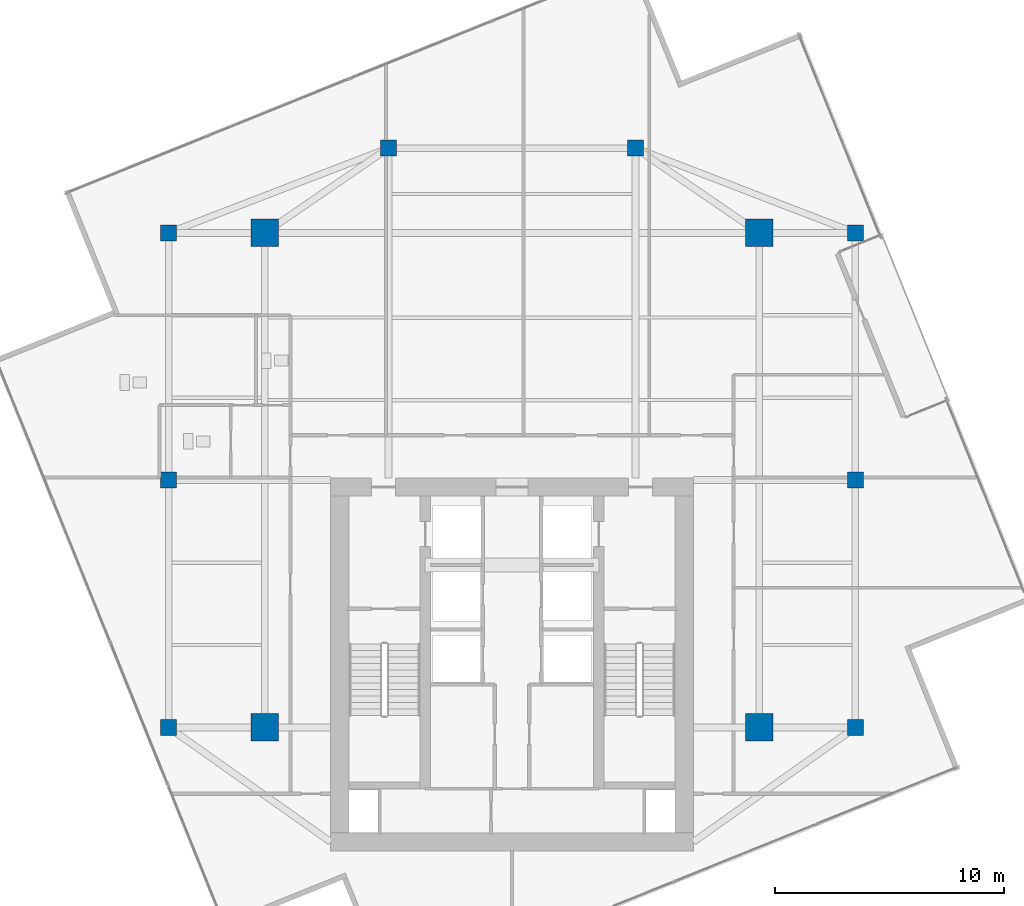
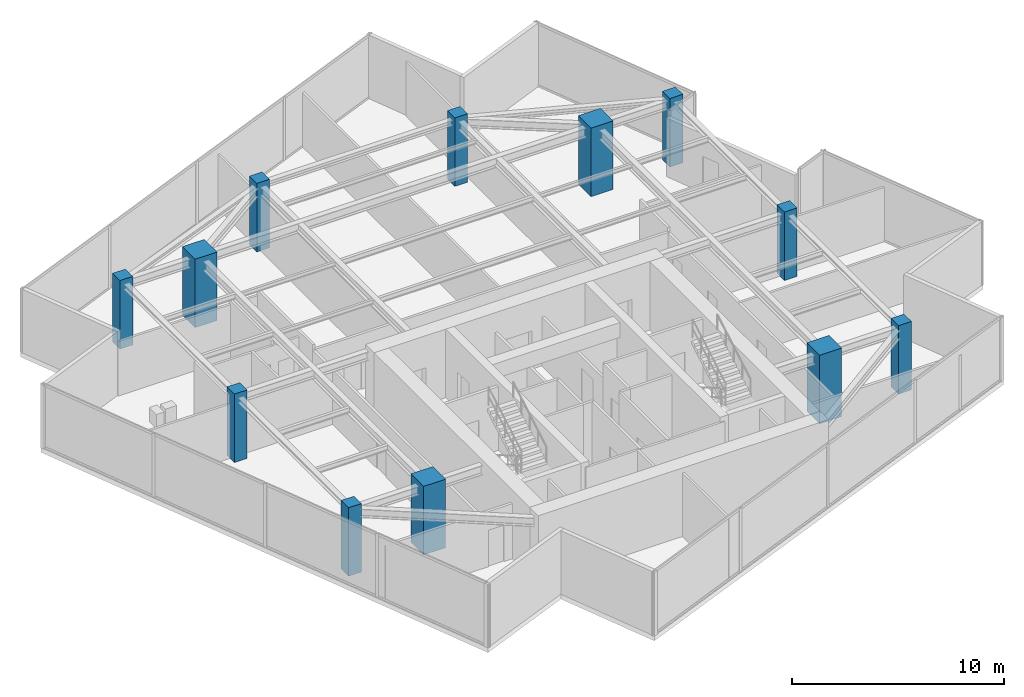
# One storey, part 1 of 21: 12 columns.
"""IFC4 building model written with IfcOpenShell, lengths in metres."""

from ifc_helpers import new_model, si_unit, direction, frame, origin, origin_2d, place, context, subcontext, project, spatial, rectangle, extrude, source, transform, mapped, material, material_profile, profile_set, type_object, type_shapes, element, save


model = new_model("IFC4")

# Units and contexts
model_context = context("Model", 3, precision=1e-05, world=origin(), true_north=direction((0.0, 1.0)))
body_context = subcontext(model_context, "Body", "Model", "MODEL_VIEW")
ifc_project = project(units=[si_unit("LENGTHUNIT", "METRE"), si_unit("AREAUNIT", "SQUARE_METRE"), si_unit("VOLUMEUNIT", "CUBIC_METRE"), si_unit("PLANEANGLEUNIT", "RADIAN"), si_unit("MASSUNIT", "GRAM", prefix="KILO")], contexts=[model_context])

# Site, building, storey
site_placement = place(None, origin())
site = spatial("IfcSite", under=ifc_project, at=site_placement, CompositionType="ELEMENT")
building_placement = place(site_placement, origin())
building = spatial("IfcBuilding", under=site, at=building_placement, Name="Krantzveldt Concourse Tower", CompositionType="ELEMENT")
storey_placement = place(building_placement, frame((0.0, 0.0, 327.699951171875)))
storey = spatial("IfcBuildingStorey", under=building, at=storey_placement, Name="L80", CompositionType="ELEMENT", Elevation=327.699951171875)

# Columns
ifc_material = material(Name="Concrete C50/60", Category="concrete")
ifc_material_profile_1 = material_profile(ifc_material, rectangle(XDim=1.199951171875, YDim=1.199951171875, at=origin_2d()), Name="Concrete C50/60", Category="concrete")
ifc_profile_set_1 = profile_set([ifc_material_profile_1], Name="Concrete C50/60 - RC 1200x1200")
column_type_1 = type_object("IfcColumnType", Name="COL-MC-1200", PredefinedType="USERDEFINED", material=ifc_profile_set_1)
shared_shape_1 = source(origin(), body_context, "Body", "SweptSolid", [
    extrude(rectangle(XDim=1.199951171875, YDim=1.199951171875, at=origin_2d()), origin(), (0.0, 0.0, 1.0), 3.949951171875),
])
type_shapes(column_type_1, [shared_shape_1])
for number, where, z_axis, x_axis, name in (
    (1, (25.199951171875, 15.89990234375, 0.0), (0.0, 0.0, 1.0), (1.0, 0.0, 0.0), "MC-SW-L80"),
    (2, (46.800048828125, 15.89990234375, 0.0), (0.0, 0.0, 1.0), (1.0, 0.0, 0.0), "MC-SE-L80"),
    (3, (46.800048828125, 37.5, 0.0), (0.0, 0.0, 1.0), (1.0, 0.0, 0.0), "MC-NE-L80"),
    (4, (25.199951171875, 37.5, 0.0), (0.0, 0.0, 1.0), (1.0, 0.0, 0.0), "MC-NW-L80"),
):
    element("IfcColumn", number, at=place(storey_placement, frame(where, z_axis=z_axis, x_axis=x_axis)), inside=storey, type_object=column_type_1, Name=name, ObjectType="MEGA COLUMN", PredefinedType="USERDEFINED", context=body_context, shape_type="MappedRepresentation", body=[
        mapped(shared_shape_1, transform((0.0, 0.0, 0.0), x_axis=(1.0, 0.0, 0.0), y_axis=(0.0, 1.0, 0.0), z_axis=(0.0, 0.0, 1.0), scale=1.0)),
    ])
ifc_material_profile_2 = material_profile(ifc_material, rectangle(XDim=0.699951171875, YDim=0.699951171875, at=origin_2d()), Name="Concrete C50/60", Category="concrete")
ifc_profile_set_2 = profile_set([ifc_material_profile_2], Name="Concrete C50/60 - RC 700x700")
column_type_2 = type_object("IfcColumnType", Name="COL-C-Z6", PredefinedType="COLUMN", material=ifc_profile_set_2)
shared_shape_2 = source(origin(), body_context, "Body", "SweptSolid", [
    extrude(rectangle(XDim=0.699951171875, YDim=0.699951171875, at=origin_2d()), origin(), (0.0, 0.0, 1.0), 3.949951171875),
])
type_shapes(column_type_2, [shared_shape_2])
for number, where, z_axis, x_axis, name in (
    (5, (21.0, 15.89990234375, 0.0), (0.0, 0.0, 1.0), (1.0, 0.0, 0.0), "PC-R01-L80"),
    (6, (21.0, 26.699951171875, 0.0), (0.0, 0.0, 1.0), (1.0, 0.0, 0.0), "PC-R02-L80"),
    (7, (21.0, 37.5, 0.0), (0.0, 0.0, 1.0), (1.0, 0.0, 0.0), "PC-R03-L80"),
    (8, (30.60009765625, 41.199951171875, 0.0), (0.0, 0.0, 1.0), (1.0, 0.0, 0.0), "PC-R04-L80"),
    (9, (41.39990234375, 41.199951171875, 0.0), (0.0, 0.0, 1.0), (1.0, 0.0, 0.0), "PC-R05-L80"),
    (10, (51.0, 37.5, 0.0), (0.0, 0.0, 1.0), (1.0, 0.0, 0.0), "PC-R06-L80"),
    (11, (51.0, 26.699951171875, 0.0), (0.0, 0.0, 1.0), (1.0, 0.0, 0.0), "PC-R07-L80"),
    (12, (51.0, 15.89990234375, 0.0), (0.0, 0.0, 1.0), (1.0, 0.0, 0.0), "PC-R08-L80"),
):
    element("IfcColumn", number, at=place(storey_placement, frame(where, z_axis=z_axis, x_axis=x_axis)), inside=storey, type_object=column_type_2, Name=name, PredefinedType="COLUMN", context=body_context, shape_type="MappedRepresentation", body=[
        mapped(shared_shape_2, transform((0.0, 0.0, 0.0), x_axis=(1.0, 0.0, 0.0), y_axis=(0.0, 1.0, 0.0), z_axis=(0.0, 0.0, 1.0), scale=1.0)),
    ])

save(model, "model.ifc")
